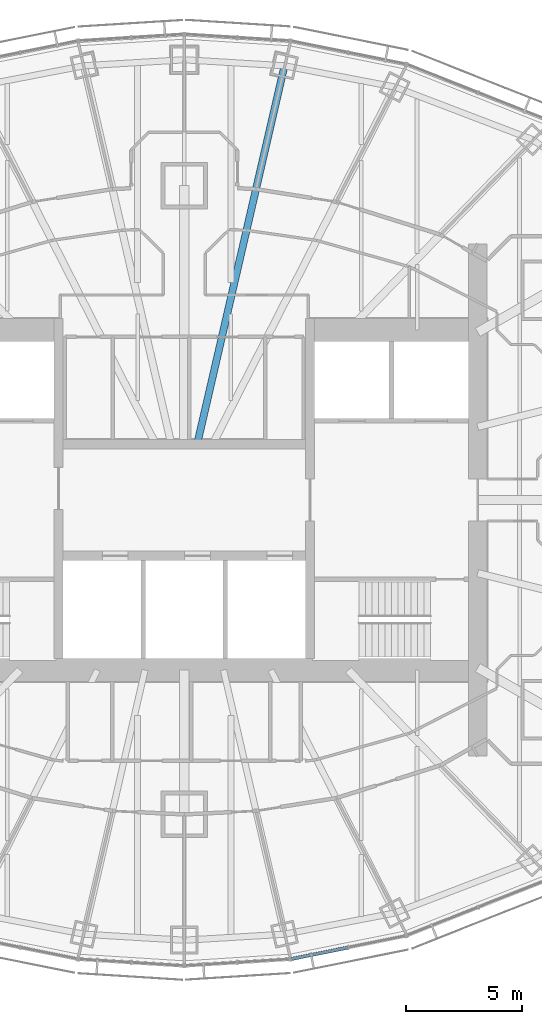
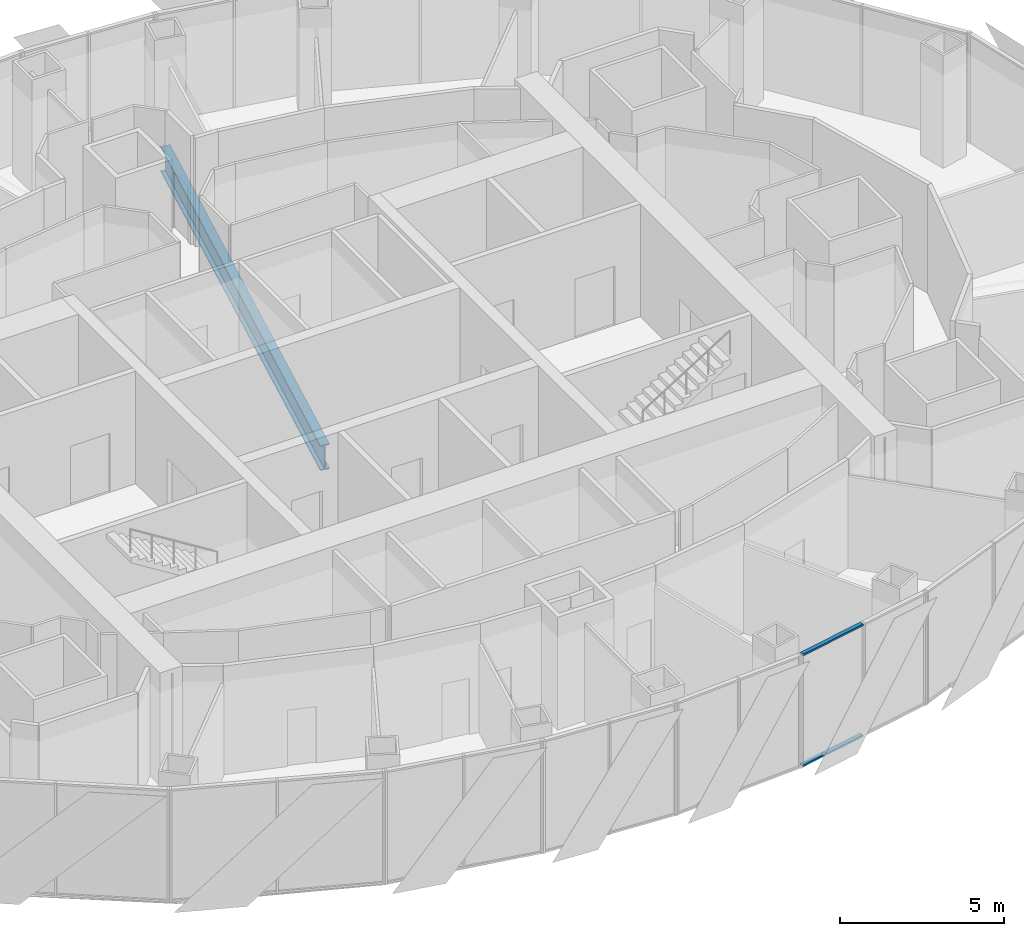
# One storey, part 5 of 18: 2 members, 1 beam, 1 element without a shape of its own.
"""IFC4 building model written with IfcOpenShell, lengths in metres."""

from ifc_helpers import new_model, si_unit, direction, frame, origin, origin_2d, place, context, subcontext, project, spatial, rectangle, i_section, extrude, material, material_profile, profile_set, type_object, element, aggregate, save


model = new_model("IFC4")

# Units and contexts
model_context = context("Model", 3, precision=1e-05, world=origin(), true_north=direction((0.0, 1.0)))
body_context = subcontext(model_context, "Body", "Model", "MODEL_VIEW")
ifc_project = project(units=[si_unit("LENGTHUNIT", "METRE"), si_unit("AREAUNIT", "SQUARE_METRE"), si_unit("VOLUMEUNIT", "CUBIC_METRE"), si_unit("PLANEANGLEUNIT", "RADIAN"), si_unit("MASSUNIT", "GRAM", prefix="KILO")], contexts=[model_context])

# Site, building, storey
site_placement = place(None, origin())
site = spatial("IfcSite", under=ifc_project, at=site_placement, CompositionType="ELEMENT")
building_placement = place(site_placement, origin())
building = spatial("IfcBuilding", under=site, at=building_placement, Name="Lantaw Convention Tower", CompositionType="ELEMENT")
storey_placement = place(building_placement, frame((0.0, 0.0, 241.0)))
storey = spatial("IfcBuildingStorey", under=building, at=storey_placement, Name="L56", CompositionType="ELEMENT", Elevation=241.0)

# Beam
ifc_material_1 = material(Name="Steel ASTM A992", Category="steel")
ifc_material_profile_1 = material_profile(ifc_material_1, i_section(OverallWidth=0.307373046875, OverallDepth=0.9423828125, WebThickness=0.022216796875, FlangeThickness=0.039794921875, FilletRadius=0.0126953125, at=origin_2d()), Name="W36X232")
ifc_profile_set_1 = profile_set([ifc_material_profile_1], Name="Steel ASTM A992")
beam_type = type_object("IfcBeamType", Name="Beam G W36X232", PredefinedType="BEAM", material=ifc_profile_set_1)
beam_placement = place(storey_placement, frame((0.55419921875, 2.39990234375, -0.62109375), z_axis=(0.224948287002, 0.974370703672, 0.0), x_axis=(-0.974370703672, 0.224948287002, 0.0)))
element("IfcBeam", 1, at=beam_placement, inside=storey, type_object=beam_type, Name="Floor girder on ray 6", PredefinedType="BEAM", context=body_context, shape_type="SweptSolid", body=[
    extrude(i_section(OverallWidth=0.307373046875, OverallDepth=0.9423828125, WebThickness=0.022216796875, FlangeThickness=0.039794921875, FilletRadius=0.0126953125, at=origin_2d()), origin(), (0.0, 0.0, 1.0), 16.66943359375),
])

# Curtain wall, members
ifc_material_2 = material(Name="Aluminium framed curtain wall", Category="aluminium")
curtain_wall_type = type_object("IfcCurtainWallType", Name="Office curtain wall high rise, pale aluminium", PredefinedType="USERDEFINED", material=ifc_material_2)
curtain_wall_placement = place(storey_placement, origin())
curtain_wall = element("IfcCurtainWall", 2, at=curtain_wall_placement, inside=storey, type_object=curtain_wall_type, Name="Office curtain wall high rise, pale aluminium L56", ObjectType="UNITISED CURTAIN WALL", PredefinedType="USERDEFINED")
ifc_material_3 = material(Name="Aluminium 6063-T6", Category="aluminium")
ifc_material_profile_2 = material_profile(ifc_material_3, rectangle(XDim=0.14990234375, YDim=0.06494140625, at=origin_2d()), Name="CW-O2 transom 65x150")
ifc_profile_set_2 = profile_set([ifc_material_profile_2], Name="Aluminium 6063-T6")
member_type = type_object("IfcMemberType", Name="CW-O2 transom 65x150", PredefinedType="USERDEFINED", material=ifc_profile_set_2)
member_1_placement = place(storey_placement, frame((4.614990234375, -19.700927734375, -0.117431640625), z_axis=(0.980380354178, 0.197115096178, 0.0), x_axis=(-0.197115096178, 0.980380354178, 0.0)))
member_1 = element("IfcMember", 3, at=member_1_placement, type_object=member_type, Name="CW-O2 transom 1.1", ObjectType="TRANSOM", PredefinedType="USERDEFINED", context=body_context, shape_type="SweptSolid", body=[
    extrude(rectangle(XDim=0.14990234375, YDim=0.06494140625, at=origin_2d()), origin(), (0.0, 0.0, 1.0), 2.443603515625),
])
member_2_placement = place(storey_placement, frame((4.614990234375, -19.700927734375, 4.017578125), z_axis=(0.980380354178, 0.197115096178, 0.0), x_axis=(-0.197115096178, 0.980380354178, 0.0)))
member_2 = element("IfcMember", 4, at=member_2_placement, type_object=member_type, Name="CW-O2 transom 1.2", ObjectType="TRANSOM", PredefinedType="USERDEFINED", context=body_context, shape_type="SweptSolid", body=[
    extrude(rectangle(XDim=0.14990234375, YDim=0.06494140625, at=origin_2d()), origin(), (0.0, 0.0, 1.0), 2.443603515625),
])
aggregate(curtain_wall, [member_1, member_2])

save(model, "model.ifc")
